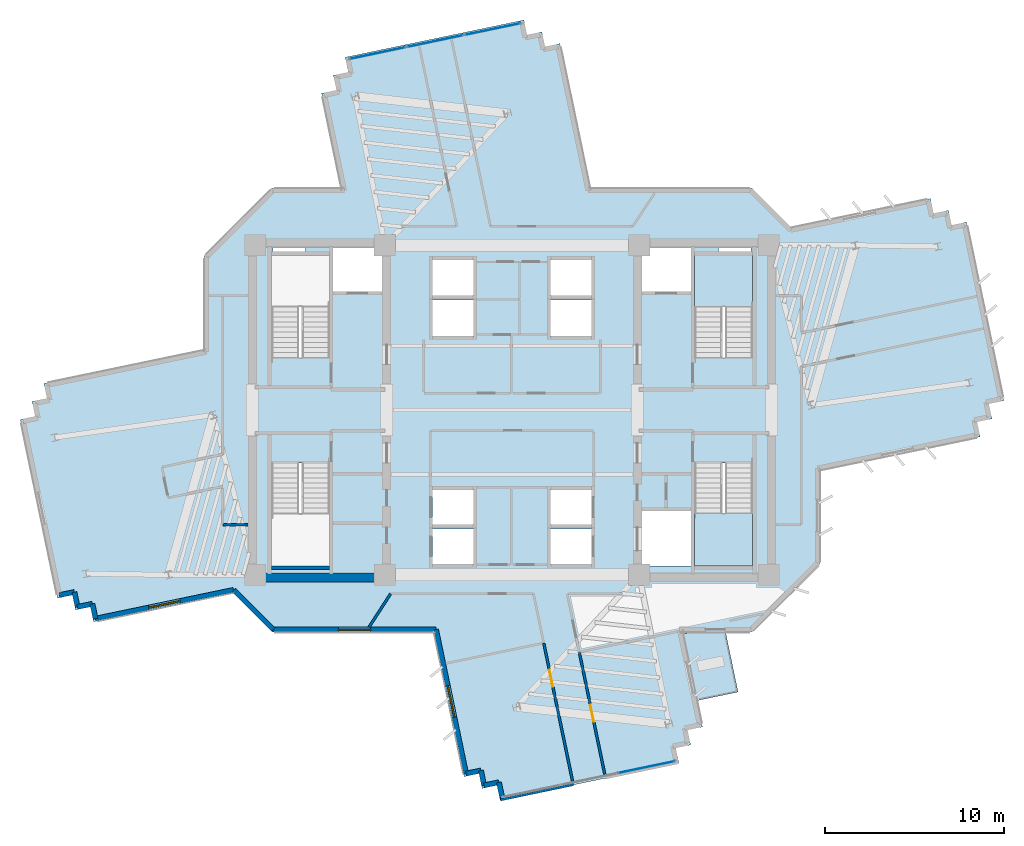
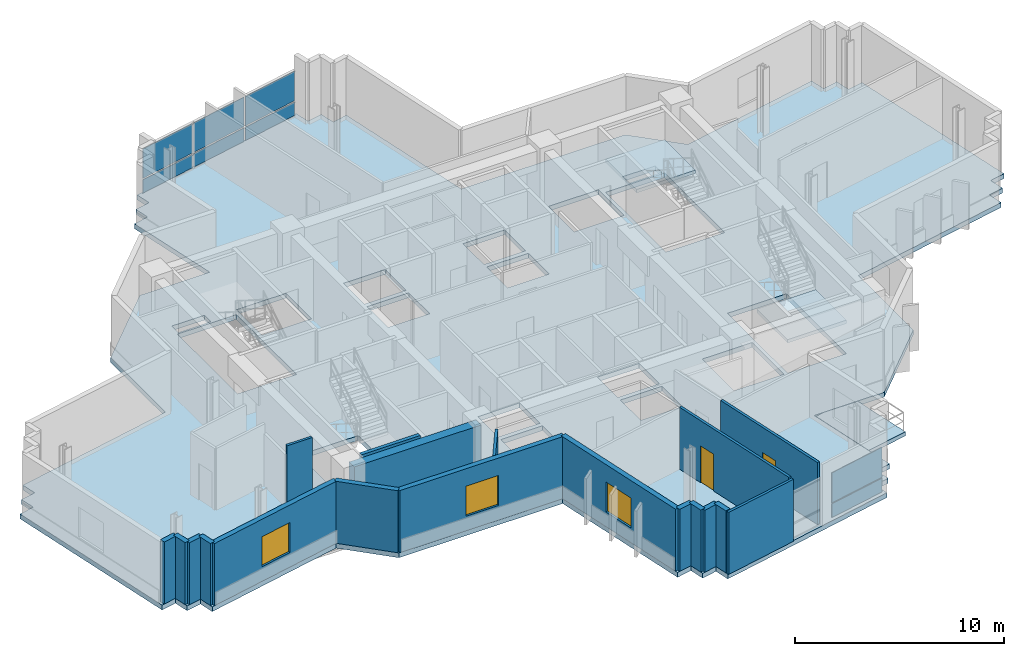
# One storey, part 6 of 14: 19 walls, 8 plates, 4 slabs, 3 windows, 2 doors, 5 openings, 4 elements without a shape of their own.
"""IFC4 building model written with IfcOpenShell, lengths in metres."""

from ifc_helpers import new_model, si_unit, direction, frame, frame_2d, origin, origin_2d, place, context, subcontext, project, spatial, polyline, rectangle, outline, extrude, source, transform, mapped, material, layer, layer_set, type_object, element, fill, aggregate, save


model = new_model("IFC4")

# Units and contexts
model_context = context("Model", 3, precision=1e-05, world=origin(), true_north=direction((0.0, 1.0)))
body_context = subcontext(model_context, "Body", "Model", "MODEL_VIEW")
ifc_project = project(units=[si_unit("LENGTHUNIT", "METRE"), si_unit("AREAUNIT", "SQUARE_METRE"), si_unit("VOLUMEUNIT", "CUBIC_METRE"), si_unit("PLANEANGLEUNIT", "RADIAN"), si_unit("MASSUNIT", "GRAM", prefix="KILO")], contexts=[model_context])

# Site, building, storey
site_placement = place(None, origin())
site = spatial("IfcSite", under=ifc_project, at=site_placement, CompositionType="ELEMENT")
building_placement = place(site_placement, origin())
building = spatial("IfcBuilding", under=site, at=building_placement, Name="Zahravan Cultural Tower", CompositionType="ELEMENT")
storey_placement = place(building_placement, frame((0.0, 0.0, 162.89990234375)))
storey = spatial("IfcBuildingStorey", under=building, at=storey_placement, Name="L37", CompositionType="ELEMENT", Elevation=162.89990234375)

# Slab
ifc_material_1 = material(Name="Concrete C45/55", Category="concrete")
ifc_layer_1 = layer(ifc_material_1, 0.280029296875)
ifc_layer_set_1 = layer_set([ifc_layer_1], Name="Concrete C45/55")
slab_type_1 = type_object("IfcSlabType", Name="SL-LIB-280", PredefinedType="FLOOR", material=ifc_layer_set_1)
slab_1_placement = place(storey_placement, frame((0.0, 0.0, -0.27978515625)))
element("IfcSlab", 1, at=slab_1_placement, inside=storey, type_object=slab_type_1, Name="L37 Structural Floor Slab", PredefinedType="FLOOR", context=body_context, shape_type="SweptSolid", body=[
    extrude(outline(polyline([(51.600341796875, 37.19970703125), (49.39990234375, 39.39990234375), (40.3603515625, 39.39990234375), (38.67578125, 47.4775390625), (37.84375, 47.303955078125), (37.670166015625, 48.135986328125), (36.837890625, 47.962646484375), (36.66455078125, 48.794677734375), (26.67919921875, 46.71240234375), (26.852783203125, 45.880126953125), (26.020751953125, 45.706787109375), (26.1943359375, 44.87451171875), (25.3623046875, 44.701171875), (26.4677734375, 39.39990234375), (22.60009765625, 39.39990234375), (18.800048828125, 35.60009765625), (18.800048828125, 30.359375), (9.844482421875, 28.49169921875), (10.01806640625, 27.65966796875), (9.18603515625, 27.486083984375), (9.359619140625, 26.654052734375), (8.527587890625, 26.48046875), (10.60986328125, 16.4951171875), (11.44189453125, 16.668701171875), (11.615478515625, 15.836669921875), (12.447509765625, 16.01025390625), (12.62109375, 15.177978515625), (20.399658203125, 16.80029296875), (22.60009765625, 14.60009765625), (31.6396484375, 14.60009765625), (33.32421875, 6.5224609375), (34.15625, 6.696044921875), (34.329833984375, 5.864013671875), (35.162109375, 6.037353515625), (35.33544921875, 5.205322265625), (45.32080078125, 7.28759765625), (45.147216796875, 8.119873046875), (45.979248046875, 8.293212890625), (45.8056640625, 9.12548828125), (46.6376953125, 9.298828125), (45.5322265625, 14.60009765625), (49.39990234375, 14.60009765625), (53.199951171875, 18.39990234375), (53.199951171875, 23.640625), (62.155517578125, 25.50830078125), (61.98193359375, 26.34033203125), (62.81396484375, 26.513916015625), (62.640380859375, 27.345947265625), (63.472412109375, 27.51953125), (61.39013671875, 37.5048828125), (60.55810546875, 37.331298828125), (60.384521484375, 38.163330078125), (59.552490234375, 37.98974609375), (59.37890625, 38.822021484375), (51.600341796875, 37.19970703125)]), holes=[polyline([(22.550048828125, 29.949951171875), (22.550048828125, 35.699951171875), (25.800048828125, 35.699951171875), (25.800048828125, 29.949951171875), (22.550048828125, 29.949951171875)]), polyline([(22.550048828125, 18.300048828125), (22.550048828125, 24.050048828125), (25.800048828125, 24.050048828125), (25.800048828125, 18.300048828125), (22.550048828125, 18.300048828125)]), polyline([(46.199951171875, 29.949951171875), (46.199951171875, 35.699951171875), (49.449951171875, 35.699951171875), (49.449951171875, 29.949951171875), (46.199951171875, 29.949951171875)]), polyline([(46.199951171875, 18.300048828125), (46.199951171875, 24.050048828125), (49.449951171875, 24.050048828125), (49.449951171875, 18.300048828125), (46.199951171875, 18.300048828125)]), polyline([(26.0, 33.60009765625), (26.0, 36.050048828125), (28.75, 36.050048828125), (28.75, 33.60009765625), (26.0, 33.60009765625)]), polyline([(43.25, 33.60009765625), (43.25, 36.050048828125), (46.0, 36.050048828125), (46.0, 33.60009765625), (43.25, 33.60009765625)]), polyline([(43.25, 18.300048828125), (43.25, 21.35009765625), (46.0, 21.35009765625), (46.0, 18.300048828125), (43.25, 18.300048828125)]), polyline([(31.550048828125, 33.39990234375), (31.550048828125, 35.39990234375), (33.85009765625, 35.39990234375), (33.85009765625, 33.39990234375), (31.550048828125, 33.39990234375)]), polyline([(31.550048828125, 31.14990234375), (31.550048828125, 33.14990234375), (33.85009765625, 33.14990234375), (33.85009765625, 31.14990234375), (31.550048828125, 31.14990234375)]), polyline([(38.14990234375, 33.39990234375), (38.14990234375, 35.39990234375), (40.449951171875, 35.39990234375), (40.449951171875, 33.39990234375), (38.14990234375, 33.39990234375)]), polyline([(38.14990234375, 31.14990234375), (38.14990234375, 33.14990234375), (40.449951171875, 33.14990234375), (40.449951171875, 31.14990234375), (38.14990234375, 31.14990234375)]), polyline([(31.550048828125, 20.60009765625), (31.550048828125, 22.550048828125), (33.85009765625, 22.550048828125), (33.85009765625, 20.60009765625), (31.550048828125, 20.60009765625)]), polyline([(31.550048828125, 18.39990234375), (31.550048828125, 20.35009765625), (33.85009765625, 20.35009765625), (33.85009765625, 18.39990234375), (31.550048828125, 18.39990234375)]), polyline([(38.14990234375, 20.60009765625), (38.14990234375, 22.550048828125), (40.449951171875, 22.550048828125), (40.449951171875, 20.60009765625), (38.14990234375, 20.60009765625)]), polyline([(38.14990234375, 18.39990234375), (38.14990234375, 20.35009765625), (40.449951171875, 20.35009765625), (40.449951171875, 18.39990234375), (38.14990234375, 18.39990234375)]), polyline([(22.64990234375, 35.800048828125), (22.64990234375, 36.419921875), (24.449951171875, 36.419921875), (24.449951171875, 35.800048828125), (22.64990234375, 35.800048828125)]), polyline([(47.550048828125, 35.800048828125), (47.550048828125, 36.419921875), (49.35009765625, 36.419921875), (49.35009765625, 35.800048828125), (47.550048828125, 35.800048828125)])]), origin(), (0.0, 0.0, 1.0), 0.27978515625),
])

# Stair, slab
stair_type = type_object("IfcStairType", Name="STR-DL-1550-390", PredefinedType="HALF_TURN_STAIR", material=ifc_material_1)
stair_1_placement = place(storey_placement, origin())
stair_1 = element("IfcStair", 2, at=stair_1_placement, inside=storey, type_object=stair_type, Name="L37 East Core North Exit Stair ST-E1", PredefinedType="HALF_TURN_STAIR")
ifc_layer_2 = layer(ifc_material_1, 0.199951171875)
ifc_layer_set_2 = layer_set([ifc_layer_2], Name="Concrete C45/55")
slab_type_2 = type_object("IfcSlabType", Name="SL-STAIR-LND200", PredefinedType="LANDING", material=ifc_layer_set_2)
slab_2_placement = place(storey_placement, frame((0.0, 0.0, 1.75)))
slab_2 = element("IfcSlab", 3, at=slab_2_placement, type_object=slab_type_2, Name="ST-E1 landing 1", PredefinedType="LANDING", context=body_context, shape_type="SweptSolid", body=[
    extrude(outline(polyline([(49.449951171875, 32.75), (49.449951171875, 35.699951171875), (46.199951171875, 35.699951171875), (46.199951171875, 32.75), (49.449951171875, 32.75)])), origin(), (0.0, 0.0, 1.0), 0.2001953125),
])
aggregate(stair_1, [slab_2])

stair_2_placement = place(storey_placement, origin())
stair_2 = element("IfcStair", 4, at=stair_2_placement, inside=storey, type_object=stair_type, Name="L37 East Core South Exit Stair ST-E2", PredefinedType="HALF_TURN_STAIR")
slab_3_placement = place(storey_placement, frame((0.0, 0.0, 1.75)))
slab_3 = element("IfcSlab", 5, at=slab_3_placement, type_object=slab_type_2, Name="ST-E2 landing 1", PredefinedType="LANDING", context=body_context, shape_type="SweptSolid", body=[
    extrude(outline(polyline([(46.199951171875, 21.25), (46.199951171875, 18.300048828125), (49.449951171875, 18.300048828125), (49.449951171875, 21.25), (46.199951171875, 21.25)])), origin(), (0.0, 0.0, 1.0), 0.2001953125),
])
aggregate(stair_2, [slab_3])

# Slab
ifc_material_2 = material(Name="Concrete C40/50", Category="concrete")
ifc_layer_3 = layer(ifc_material_2, 0.239990234375)
ifc_layer_set_3 = layer_set([ifc_layer_3], Name="Concrete C40/50")
slab_type_3 = type_object("IfcSlabType", Name="SL-TERR-240", PredefinedType="FLOOR", material=ifc_layer_set_3)
slab_4_placement = place(storey_placement, frame((0.0, 0.0, -0.239990234375)))
element("IfcSlab", 6, at=slab_4_placement, inside=storey, type_object=slab_type_3, Name="L37 Planted Sculpture Terrace SE", PredefinedType="FLOOR", context=body_context, shape_type="SweptSolid", body=[
    extrude(outline(polyline([(48.632080078125, 11.2470703125), (47.933837890625, 14.594970703125), (46.072265625, 14.594970703125), (45.560791015625, 14.48828125), (46.33642578125, 10.768310546875), (48.632080078125, 11.2470703125)])), origin(), (0.0, 0.0, 1.0), 0.239990234375),
])

# Curtain wall, plates
ifc_material_3 = material(Name="Anodised bronze-aluminium mullion", Category="aluminium")
ifc_layer_4 = layer(ifc_material_3, 0.219970703125)
ifc_layer_set_4 = layer_set([ifc_layer_4], Name="Anodised bronze-aluminium mullion")
curtain_wall_type_1 = type_object("IfcCurtainWallType", Name="CW-SYS-1", PredefinedType="USERDEFINED", material=ifc_layer_set_4)
curtain_wall_1_placement = place(storey_placement, origin())
curtain_wall_1 = element("IfcCurtainWall", 7, at=curtain_wall_1_placement, inside=storey, type_object=curtain_wall_type_1, Name="L37 Recessed Curtain Wall CW-1.2", ObjectType="RECESSED GLAZING", PredefinedType="USERDEFINED")
ifc_material_4 = material(Name="Low-E solar-control double glazing", Category="glass")
ifc_layer_5 = layer(ifc_material_4, 0.031982421875)
ifc_layer_set_5 = layer_set([ifc_layer_5], Name="Low-E solar-control double glazing")
plate_type_1 = type_object("IfcPlateType", Name="CWP-CW-1", PredefinedType="CURTAIN_PANEL", material=ifc_layer_set_5)
shared_shape_1 = source(origin(), body_context, "Body", "SweptSolid", [
    extrude(rectangle(XDim=3.186767578125, YDim=0.031982421875, at=origin_2d()), origin(), (0.0, 0.0, 1.0), 0.780029296875),
])
plate_1_placement = place(storey_placement, frame((28.48291015625, 46.9453125, 0.080078125), z_axis=(0.0, 0.0, 1.0), x_axis=(0.978937039301, 0.204162369415, 0.0)))
plate_1 = element("IfcPlate", 8, at=plate_1_placement, type_object=plate_type_1, Name="CW-1 panel 1.1", PredefinedType="CURTAIN_PANEL", context=body_context, shape_type="MappedRepresentation", body=[
    mapped(shared_shape_1, transform((0.0, 0.0, 0.0), x_axis=(1.0, 0.0, 0.0), y_axis=(0.0, 1.0, 0.0), z_axis=(0.0, 0.0, 1.0), scale=1.0)),
])
plate_2_placement = place(storey_placement, frame((34.91796875, 48.287353515625, 0.080078125), z_axis=(0.0, 0.0, 1.0), x_axis=(0.978937039301, 0.204162369415, 0.0)))
plate_2 = element("IfcPlate", 9, at=plate_2_placement, type_object=plate_type_1, Name="CW-1 panel 3.1", PredefinedType="CURTAIN_PANEL", context=body_context, shape_type="MappedRepresentation", body=[
    mapped(shared_shape_1, transform((0.0, 0.0, 0.0), x_axis=(1.0, 0.0, 0.0), y_axis=(0.0, 1.0, 0.0), z_axis=(0.0, 0.0, 1.0), scale=1.0)),
])

ifc_layer_6 = layer(ifc_material_3, 0.1650390625)
ifc_layer_set_6 = layer_set([ifc_layer_6], Name="Anodised bronze-aluminium mullion")
curtain_wall_type_2 = type_object("IfcCurtainWallType", Name="CW-SYS-4", PredefinedType="USERDEFINED", material=ifc_layer_set_6)
curtain_wall_2_placement = place(storey_placement, origin())
curtain_wall_2 = element("IfcCurtainWall", 10, at=curtain_wall_2_placement, inside=storey, type_object=curtain_wall_type_2, Name="L37 Recessed Curtain Wall CW-4.1", ObjectType="RECESSED GLAZING", PredefinedType="USERDEFINED")
ifc_layer_7 = layer(ifc_material_4, 0.02587890625)
ifc_layer_set_7 = layer_set([ifc_layer_7], Name="Low-E solar-control double glazing")
plate_type_2 = type_object("IfcPlateType", Name="CWP-CW-4", PredefinedType="CURTAIN_PANEL", material=ifc_layer_set_7)
shared_shape_2 = source(origin(), body_context, "Body", "SweptSolid", [
    extrude(rectangle(XDim=3.209228515625, YDim=0.02587890625, at=origin_2d()), origin(), (0.0, 0.0, 1.0), 0.802490234375),
])
plate_3_placement = place(storey_placement, frame((43.520751953125, 7.055419921875, 0.06494140625), z_axis=(0.0, 0.0, 1.0), x_axis=(-0.978937039301, -0.204162369415, 0.0)))
plate_3 = element("IfcPlate", 11, at=plate_3_placement, type_object=plate_type_2, Name="CW-4 panel 1.1", PredefinedType="CURTAIN_PANEL", context=body_context, shape_type="MappedRepresentation", body=[
    mapped(shared_shape_2, transform((0.0, 0.0, 0.0), x_axis=(1.0, 0.0, 0.0), y_axis=(0.0, 1.0, 0.0), z_axis=(0.0, 0.0, 1.0), scale=1.0)),
])
shared_shape_3 = source(origin(), body_context, "Body", "SweptSolid", [
    extrude(rectangle(XDim=3.209228515625, YDim=0.02587890625, at=origin_2d()), origin(), (0.0, 0.0, 1.0), 1.742431640625),
])
plate_4_placement = place(storey_placement, frame((43.520751953125, 7.055419921875, 0.9326171875), z_axis=(0.0, 0.0, 1.0), x_axis=(-0.978937039301, -0.204162369415, 0.0)))
plate_4 = element("IfcPlate", 12, at=plate_4_placement, type_object=plate_type_2, Name="CW-4 panel 1.2", PredefinedType="CURTAIN_PANEL", context=body_context, shape_type="MappedRepresentation", body=[
    mapped(shared_shape_3, transform((0.0, 0.0, 0.0), x_axis=(1.0, 0.0, 0.0), y_axis=(0.0, 1.0, 0.0), z_axis=(0.0, 0.0, 1.0), scale=1.0)),
])
aggregate(curtain_wall_2, [plate_3, plate_4])

# Plate
shared_shape_4 = source(origin(), body_context, "Body", "SweptSolid", [
    extrude(rectangle(XDim=3.186767578125, YDim=0.031982421875, at=origin_2d()), origin(), (0.0, 0.0, 1.0), 1.719970703125),
])
plate_5_placement = place(storey_placement, frame((28.48291015625, 46.9453125, 0.93994140625), z_axis=(0.0, 0.0, 1.0), x_axis=(0.978937039301, 0.204162369415, 0.0)))
plate_5 = element("IfcPlate", 13, at=plate_5_placement, type_object=plate_type_1, Name="CW-1 panel 1.2", PredefinedType="CURTAIN_PANEL", context=body_context, shape_type="MappedRepresentation", body=[
    mapped(shared_shape_4, transform((0.0, 0.0, 0.0), x_axis=(1.0, 0.0, 0.0), y_axis=(0.0, 1.0, 0.0), z_axis=(0.0, 0.0, 1.0), scale=1.0)),
])

plate_6_placement = place(storey_placement, frame((34.91796875, 48.287353515625, 0.93994140625), z_axis=(0.0, 0.0, 1.0), x_axis=(0.978937039301, 0.204162369415, 0.0)))
plate_6 = element("IfcPlate", 14, at=plate_6_placement, type_object=plate_type_1, Name="CW-1 panel 3.2", PredefinedType="CURTAIN_PANEL", context=body_context, shape_type="MappedRepresentation", body=[
    mapped(shared_shape_4, transform((0.0, 0.0, 0.0), x_axis=(1.0, 0.0, 0.0), y_axis=(0.0, 1.0, 0.0), z_axis=(0.0, 0.0, 1.0), scale=1.0)),
])

shared_shape_5 = source(origin(), body_context, "Body", "SweptSolid", [
    extrude(rectangle(XDim=3.2265625, YDim=0.031982421875, at=origin_2d()), origin(), (0.0, 0.0, 1.0), 0.780029296875),
])
plate_7_placement = place(storey_placement, frame((31.700439453125, 47.616455078125, 0.080078125), z_axis=(0.0, 0.0, 1.0), x_axis=(0.978937039301, 0.204162369415, 0.0)))
plate_7 = element("IfcPlate", 15, at=plate_7_placement, type_object=plate_type_1, Name="CW-1 panel 2.1", PredefinedType="CURTAIN_PANEL", context=body_context, shape_type="MappedRepresentation", body=[
    mapped(shared_shape_5, transform((0.0, 0.0, 0.0), x_axis=(1.0, 0.0, 0.0), y_axis=(0.0, 1.0, 0.0), z_axis=(0.0, 0.0, 1.0), scale=1.0)),
])

shared_shape_6 = source(origin(), body_context, "Body", "SweptSolid", [
    extrude(rectangle(XDim=3.2265625, YDim=0.031982421875, at=origin_2d()), origin(), (0.0, 0.0, 1.0), 1.719970703125),
])
plate_8_placement = place(storey_placement, frame((31.700439453125, 47.616455078125, 0.93994140625), z_axis=(0.0, 0.0, 1.0), x_axis=(0.978937039301, 0.204162369415, 0.0)))
plate_8 = element("IfcPlate", 16, at=plate_8_placement, type_object=plate_type_1, Name="CW-1 panel 2.2", PredefinedType="CURTAIN_PANEL", context=body_context, shape_type="MappedRepresentation", body=[
    mapped(shared_shape_6, transform((0.0, 0.0, 0.0), x_axis=(1.0, 0.0, 0.0), y_axis=(0.0, 1.0, 0.0), z_axis=(0.0, 0.0, 1.0), scale=1.0)),
])

aggregate(curtain_wall_1, [plate_1, plate_5, plate_7, plate_8, plate_2, plate_6])

# Wall, opening, window
ifc_material_5 = material(Name="Precast concrete C40/50", Category="concrete")
ifc_layer_8 = layer(ifc_material_5, 0.280029296875)
ifc_layer_set_8 = layer_set([ifc_layer_8], Name="Precast concrete C40/50")
wall_type_1 = type_object("IfcWallType", Name="EW-TC-280", PredefinedType="SOLIDWALL", material=ifc_layer_set_8)
wall_1_placement = place(storey_placement, frame((33.4326171875, 6.68798828125, 0.0), z_axis=(0.0, 0.0, 1.0), x_axis=(-0.204152195211, 0.978939161128, 0.0)))
wall_1 = element("IfcWall", 17, at=wall_1_placement, inside=storey, type_object=wall_type_1, Name="L37 Exterior Masonry Frame Wall 24", PredefinedType="SOLIDWALL", context=body_context, shape_type="SweptSolid", body=[
    extrude(rectangle(XDim=8.225341796875, YDim=0.280029296875, at=frame_2d((4.11279296875, 0.0))), origin(), (0.0, 0.0, 1.0), 3.6201171875),
])
opening_1_placement = place(wall_1_placement, frame((3.212890625, 0.0, 0.85009765625)))
opening_1 = element("IfcOpeningElement", 18, at=opening_1_placement, cuts=wall_1, Name="Opening WN-02", PredefinedType="OPENING", context=body_context, shape_type="SweptSolid", body=[
    extrude(rectangle(XDim=1.800048828125, YDim=1.75, at=frame_2d((0.89990234375, 0.875))), frame((0.0, 0.14990234375, 0.0), z_axis=(0.0, -1.0, 0.0), x_axis=(1.0, 0.0, 0.0)), (0.0, 0.0, 1.0), 0.300048828125),
])
window_type = type_object("IfcWindowType", Name="WN-REC-1800X1750", PartitioningType="DOUBLE_PANEL_VERTICAL", PredefinedType="WINDOW", material=ifc_material_4)
shared_shape_7 = source(origin(), body_context, "Body", "SweptSolid", [
    extrude(rectangle(XDim=1.800048828125, YDim=1.75, at=frame_2d((0.89990234375, 0.875))), frame((0.0, 0.030029296875, 0.0), z_axis=(0.0, -1.0, 0.0), x_axis=(1.0, 0.0, 0.0)), (0.0, 0.0, 1.0), 0.06005859375),
])
window_1_placement = place(opening_1_placement, origin())
window_1 = element("IfcWindow", 19, at=window_1_placement, inside=storey, type_object=window_type, Name="L37 Recessed Solar Window 05", OverallHeight=1.75, OverallWidth=1.800048828125, PartitioningType="DOUBLE_PANEL_VERTICAL", PredefinedType="WINDOW", context=body_context, shape_type="MappedRepresentation", body=[
    mapped(shared_shape_7, transform((0.0, 0.0, 0.0), x_axis=(1.0, 0.0, 0.0), y_axis=(0.0, 1.0, 0.0), z_axis=(0.0, 0.0, 1.0), scale=1.0)),
])
fill(opening_1, window_1)

wall_2_placement = place(storey_placement, frame((31.75341796875, 14.739990234375, 0.0), z_axis=(0.0, 0.0, 1.0), x_axis=(-1.0, 0.0, 0.0)))
wall_2 = element("IfcWall", 20, at=wall_2_placement, inside=storey, type_object=wall_type_1, Name="L37 Exterior Masonry Frame Wall 25", PredefinedType="SOLIDWALL", context=body_context, shape_type="SweptSolid", body=[
    extrude(rectangle(XDim=9.095458984375, YDim=0.280029296875, at=frame_2d((4.5478515625, 0.0))), origin(), (0.0, 0.0, 1.0), 3.6201171875),
])
opening_2_placement = place(wall_2_placement, frame((3.64794921875, 0.0, 0.85009765625)))
opening_2 = element("IfcOpeningElement", 21, at=opening_2_placement, cuts=wall_2, Name="Opening WN-02", PredefinedType="OPENING", context=body_context, shape_type="SweptSolid", body=[
    extrude(rectangle(XDim=1.800048828125, YDim=1.75, at=frame_2d((0.89990234375, 0.875))), frame((0.0, 0.14990234375, 0.0), z_axis=(0.0, -1.0, 0.0), x_axis=(1.0, 0.0, 0.0)), (0.0, 0.0, 1.0), 0.300048828125),
])
window_2_placement = place(opening_2_placement, origin())
window_2 = element("IfcWindow", 22, at=window_2_placement, inside=storey, type_object=window_type, Name="L37 Recessed Solar Window 06", OverallHeight=1.75, OverallWidth=1.800048828125, PartitioningType="DOUBLE_PANEL_VERTICAL", PredefinedType="WINDOW", context=body_context, shape_type="MappedRepresentation", body=[
    mapped(shared_shape_7, transform((0.0, 0.0, 0.0), x_axis=(1.0, 0.0, 0.0), y_axis=(0.0, 1.0, 0.0), z_axis=(0.0, 0.0, 1.0), scale=1.0)),
])
fill(opening_2, window_2)

wall_3_placement = place(storey_placement, frame((20.4453125, 16.952880859375, 0.0), z_axis=(0.0, 0.0, 1.0), x_axis=(-0.978938136474, -0.204157108515, 0.0)))
wall_3 = element("IfcWall", 23, at=wall_3_placement, inside=storey, type_object=wall_type_1, Name="L37 Exterior Masonry Frame Wall 27", PredefinedType="SOLIDWALL", context=body_context, shape_type="SweptSolid", body=[
    extrude(rectangle(XDim=7.8818359375, YDim=0.280029296875, at=frame_2d((3.94091796875, 0.0))), origin(), (0.0, 0.0, 1.0), 3.6201171875),
])
opening_3_placement = place(wall_3_placement, frame((3.041015625, 0.0, 0.85009765625)))
opening_3 = element("IfcOpeningElement", 24, at=opening_3_placement, cuts=wall_3, Name="Opening WN-02", PredefinedType="OPENING", context=body_context, shape_type="SweptSolid", body=[
    extrude(rectangle(XDim=1.800048828125, YDim=1.75, at=frame_2d((0.89990234375, 0.875))), frame((0.0, 0.14990234375, 0.0), z_axis=(0.0, -1.0, 0.0), x_axis=(1.0, 0.0, 0.0)), (0.0, 0.0, 1.0), 0.300048828125),
])
window_3_placement = place(opening_3_placement, origin())
window_3 = element("IfcWindow", 25, at=window_3_placement, inside=storey, type_object=window_type, Name="L37 Recessed Solar Window 07", OverallHeight=1.75, OverallWidth=1.800048828125, PartitioningType="DOUBLE_PANEL_VERTICAL", PredefinedType="WINDOW", context=body_context, shape_type="MappedRepresentation", body=[
    mapped(shared_shape_7, transform((0.0, 0.0, 0.0), x_axis=(1.0, 0.0, 0.0), y_axis=(0.0, 1.0, 0.0), z_axis=(0.0, 0.0, 1.0), scale=1.0)),
])
fill(opening_3, window_3)

# Wall, opening, door
ifc_material_6 = material(Name="Gypsum plasterboard partition")
ifc_layer_9 = layer(ifc_material_6, 0.139892578125)
ifc_layer_set_9 = layer_set([ifc_layer_9], Name="Gypsum plasterboard partition")
wall_type_2 = type_object("IfcWallType", Name="W-PART-140", PredefinedType="PARTITIONING", material=ifc_layer_set_9)
wall_4_placement = place(storey_placement, frame((41.182373046875, 6.656982421875, 0.0), z_axis=(0.0, 0.0, 1.0), x_axis=(-0.204158980406, 0.97893774609, 0.0)))
wall_4 = element("IfcWall", 26, at=wall_4_placement, inside=storey, type_object=wall_type_2, Name="L37 Interior Wall 085", PredefinedType="PARTITIONING", context=body_context, shape_type="SweptSolid", body=[
    extrude(rectangle(XDim=6.95263671875, YDim=0.139892578125, at=frame_2d((3.476318359375, 0.0))), origin(), (0.0, 0.0, 1.0), 3.6201171875),
])
opening_4_placement = place(wall_4_placement, frame((3.001220703125, 0.0, 0.0)))
opening_4 = element("IfcOpeningElement", 27, at=opening_4_placement, cuts=wall_4, Name="Opening D-L37-28", PredefinedType="OPENING", context=body_context, shape_type="SweptSolid", body=[
    extrude(rectangle(XDim=0.949951171875, YDim=2.14990234375, at=frame_2d((0.47509765625, 1.074951171875))), frame((0.0, 0.079833984375, 0.0), z_axis=(0.0, -1.0, 0.0), x_axis=(1.0, 0.0, 0.0)), (0.0, 0.0, 1.0), 0.159912109375),
])
door_type = type_object("IfcDoorType", Name="DR-ROOM-950", OperationType="NOTDEFINED", PredefinedType="DOOR", material=ifc_material_3)
shared_shape_8 = source(origin(), body_context, "Body", "SweptSolid", [
    extrude(rectangle(XDim=0.949951171875, YDim=2.14990234375, at=frame_2d((0.47509765625, 1.074951171875))), frame((0.0, 0.02490234375, 0.0), z_axis=(0.0, -1.0, 0.0), x_axis=(1.0, 0.0, 0.0)), (0.0, 0.0, 1.0), 0.050048828125),
])
door_1_placement = place(opening_4_placement, origin())
door_1 = element("IfcDoor", 28, at=door_1_placement, inside=storey, type_object=door_type, Name="L37 Door D-L37-28", OperationType="SINGLE_SWING_RIGHT", OverallHeight=2.14990234375, OverallWidth=0.949951171875, PredefinedType="DOOR", context=body_context, shape_type="MappedRepresentation", body=[
    mapped(shared_shape_8, transform((0.0, 0.0, 0.0), x_axis=(1.0, 0.0, 0.0), y_axis=(0.0, 1.0, 0.0), z_axis=(0.0, 0.0, 1.0), scale=1.0)),
])
fill(opening_4, door_1)

wall_5_placement = place(storey_placement, frame((37.77783203125, 13.968505859375, 0.0), z_axis=(0.0, 0.0, 1.0), x_axis=(0.204175249208, -0.978934353065, 0.0)))
wall_5 = element("IfcWall", 29, at=wall_5_placement, inside=storey, type_object=wall_type_2, Name="L37 Interior Wall 086", PredefinedType="PARTITIONING", context=body_context, shape_type="SweptSolid", body=[
    extrude(rectangle(XDim=7.8525390625, YDim=0.139892578125, at=frame_2d((3.92626953125, 0.0))), origin(), (0.0, 0.0, 1.0), 3.6201171875),
])
opening_5_placement = place(wall_5_placement, frame((1.5185546875, 0.0, 0.0)))
opening_5 = element("IfcOpeningElement", 30, at=opening_5_placement, cuts=wall_5, Name="Opening D-L37-26", PredefinedType="OPENING", context=body_context, shape_type="SweptSolid", body=[
    extrude(rectangle(XDim=0.949951171875, YDim=2.14990234375, at=frame_2d((0.47509765625, 1.074951171875))), frame((0.0, 0.079833984375, 0.0), z_axis=(0.0, -1.0, 0.0), x_axis=(1.0, 0.0, 0.0)), (0.0, 0.0, 1.0), 0.159912109375),
])
door_2_placement = place(opening_5_placement, origin())
door_2 = element("IfcDoor", 31, at=door_2_placement, inside=storey, type_object=door_type, Name="L37 Door D-L37-26", OperationType="SINGLE_SWING_RIGHT", OverallHeight=2.14990234375, OverallWidth=0.949951171875, PredefinedType="DOOR", context=body_context, shape_type="MappedRepresentation", body=[
    mapped(shared_shape_8, transform((0.0, 0.0, 0.0), x_axis=(1.0, 0.0, 0.0), y_axis=(0.0, 1.0, 0.0), z_axis=(0.0, 0.0, 1.0), scale=1.0)),
])
fill(opening_5, door_2)

# Walls
ifc_material_7 = material(Name="Concrete C60/75", Category="concrete")
ifc_layer_10 = layer(ifc_material_7, 0.5)
ifc_layer_set_10 = layer_set([ifc_layer_10], Name="Concrete C60/75")
wall_type_3 = type_object("IfcWallType", Name="CW-SHEAR-500-C60", PredefinedType="SHEAR", material=ifc_layer_set_10)
shared_shape_9 = source(origin(), body_context, "Body", "SweptSolid", [
    extrude(rectangle(XDim=7.0, YDim=0.5, at=frame_2d((3.5, 0.0))), origin(), (0.0, 0.0, 1.0), 3.6201171875),
])
wall_6_placement = place(storey_placement, frame((21.75, 17.64990234375, 0.0), z_axis=(0.0, 0.0, 1.0), x_axis=(1.0, 0.0, 0.0)))
element("IfcWall", 32, at=wall_6_placement, inside=storey, type_object=wall_type_3, Name="L37 Core Shear Wall CW-W-S-L37", PredefinedType="SHEAR", context=body_context, shape_type="MappedRepresentation", body=[
    mapped(shared_shape_9, transform((0.0, 0.0, 0.0), x_axis=(1.0, 0.0, 0.0), y_axis=(0.0, 1.0, 0.0), z_axis=(0.0, 0.0, 1.0), scale=1.0)),
])
shared_shape_10 = source(origin(), body_context, "Body", "SweptSolid", [
    extrude(rectangle(XDim=0.85009765625, YDim=0.280029296875, at=frame_2d((0.425048828125, 0.0))), origin(), (0.0, 0.0, 1.0), 3.6201171875),
])
wall_7_placement = place(storey_placement, frame((34.264892578125, 6.861572265625, 0.0), z_axis=(0.0, 0.0, 1.0), x_axis=(-0.97893500384, -0.204172128991, 0.0)))
element("IfcWall", 33, at=wall_7_placement, inside=storey, type_object=wall_type_1, Name="L37 Exterior Masonry Frame Wall 23", PredefinedType="SOLIDWALL", context=body_context, shape_type="MappedRepresentation", body=[
    mapped(shared_shape_10, transform((0.0, 0.0, 0.0), x_axis=(1.0, 0.0, 0.0), y_axis=(0.0, 1.0, 0.0), z_axis=(0.0, 0.0, 1.0), scale=1.0)),
])
shared_shape_11 = source(origin(), body_context, "Body", "SweptSolid", [
    extrude(rectangle(XDim=0.849853515625, YDim=0.280029296875, at=frame_2d((0.4248046875, 0.0))), origin(), (0.0, 0.0, 1.0), 3.6201171875),
])
for number, where, z_axis, x_axis, name in (
    (34, (35.444091796875, 5.370849609375, 0.0), (0.0, 0.0, 1.0), (-0.20422954019, 0.978923028084, 0.0), "L37 Exterior Masonry Frame Wall 20"),
    (35, (35.2705078125, 6.202880859375, 0.0), (0.0, 0.0, 1.0), (-0.978980419738, -0.203954254112, 0.0), "L37 Exterior Masonry Frame Wall 21"),
    (36, (34.4384765625, 6.029541015625, 0.0), (0.0, 0.0, 1.0), (-0.20422954019, 0.978923028084, 0.0), "L37 Exterior Masonry Frame Wall 22"),
    (37, (12.7294921875, 15.34375, 0.0), (0.0, 0.0, 1.0), (-0.203954254112, 0.978980419738, 0.0), "L37 Exterior Masonry Frame Wall 28"),
    (38, (12.55615234375, 16.17578125, 0.0), (0.0, 0.0, 1.0), (-0.978923028084, -0.20422954019, 0.0), "L37 Exterior Masonry Frame Wall 29"),
    (39, (11.55029296875, 16.83447265625, 0.0), (0.0, 0.0, 1.0), (-0.978923028084, -0.20422954019, 0.0), "L37 Exterior Masonry Frame Wall 31"),
):
    element("IfcWall", number, at=place(storey_placement, frame(where, z_axis=z_axis, x_axis=x_axis)), inside=storey, type_object=wall_type_1, Name=name, PredefinedType="SOLIDWALL", context=body_context, shape_type="MappedRepresentation", body=[
        mapped(shared_shape_11, transform((0.0, 0.0, 0.0), x_axis=(1.0, 0.0, 0.0), y_axis=(0.0, 1.0, 0.0), z_axis=(0.0, 0.0, 1.0), scale=1.0)),
    ])
shared_shape_12 = source(origin(), body_context, "Body", "SweptSolid", [
    extrude(rectangle(XDim=0.850341796875, YDim=0.280029296875, at=frame_2d((0.42529296875, 0.0))), origin(), (0.0, 0.0, 1.0), 3.6201171875),
])
wall_8_placement = place(storey_placement, frame((11.72412109375, 16.002197265625, 0.0), z_axis=(0.0, 0.0, 1.0), x_axis=(-0.204447295999, 0.978877573121, 0.0)))
element("IfcWall", 40, at=wall_8_placement, inside=storey, type_object=wall_type_1, Name="L37 Exterior Masonry Frame Wall 30", PredefinedType="SOLIDWALL", context=body_context, shape_type="MappedRepresentation", body=[
    mapped(shared_shape_12, transform((0.0, 0.0, 0.0), x_axis=(1.0, 0.0, 0.0), y_axis=(0.0, 1.0, 0.0), z_axis=(0.0, 0.0, 1.0), scale=1.0)),
])
shared_shape_13 = source(origin(), body_context, "Body", "SweptSolid", [
    extrude(rectangle(XDim=3.12939453125, YDim=0.280029296875, at=frame_2d((1.564697265625, 0.0))), origin(), (0.0, 0.0, 1.0), 3.6201171875),
])
wall_9_placement = place(storey_placement, frame((22.657958984375, 14.739990234375, 0.0), z_axis=(0.0, 0.0, 1.0), x_axis=(-0.707067771627, 0.707145788594, 0.0)))
element("IfcWall", 41, at=wall_9_placement, inside=storey, type_object=wall_type_1, Name="L37 Exterior Masonry Frame Wall 26", PredefinedType="SOLIDWALL", context=body_context, shape_type="MappedRepresentation", body=[
    mapped(shared_shape_13, transform((0.0, 0.0, 0.0), x_axis=(1.0, 0.0, 0.0), y_axis=(0.0, 1.0, 0.0), z_axis=(0.0, 0.0, 1.0), scale=1.0)),
])
ifc_layer_11 = layer(ifc_material_1, 0.199951171875)
ifc_layer_set_11 = layer_set([ifc_layer_11], Name="Concrete C45/55")
wall_type_4 = type_object("IfcWallType", Name="W-SHAFT-200", PredefinedType="SOLIDWALL", material=ifc_layer_set_11)
shared_shape_14 = source(origin(), body_context, "Body", "SweptSolid", [
    extrude(rectangle(XDim=3.25, YDim=0.199951171875, at=frame_2d((1.625, 0.0))), origin(), (0.0, 0.0, 1.0), 3.6201171875),
])
wall_10_placement = place(storey_placement, frame((22.550048828125, 18.199951171875, 0.0), z_axis=(0.0, 0.0, 1.0), x_axis=(1.0, 0.0, 0.0)))
element("IfcWall", 42, at=wall_10_placement, inside=storey, type_object=wall_type_4, Name="L37 Interior Wall 019", PredefinedType="SOLIDWALL", context=body_context, shape_type="MappedRepresentation", body=[
    mapped(shared_shape_14, transform((0.0, 0.0, 0.0), x_axis=(1.0, 0.0, 0.0), y_axis=(0.0, 1.0, 0.0), z_axis=(0.0, 0.0, 1.0), scale=1.0)),
])
shared_shape_15 = source(origin(), body_context, "Body", "SweptSolid", [
    extrude(rectangle(XDim=2.2099609375, YDim=0.139892578125, at=frame_2d((1.10498046875, 0.0))), origin(), (0.0, 0.0, 1.0), 3.6201171875),
])
wall_11_placement = place(storey_placement, frame((28.01806640625, 14.885009765625, 0.0), z_axis=(0.0, 0.0, 1.0), x_axis=(0.543613077793, 0.83933594088, 0.0)))
element("IfcWall", 43, at=wall_11_placement, inside=storey, type_object=wall_type_2, Name="L37 Interior Wall 076", PredefinedType="PARTITIONING", context=body_context, shape_type="MappedRepresentation", body=[
    mapped(shared_shape_15, transform((0.0, 0.0, 0.0), x_axis=(1.0, 0.0, 0.0), y_axis=(0.0, 1.0, 0.0), z_axis=(0.0, 0.0, 1.0), scale=1.0)),
])
shared_shape_16 = source(origin(), body_context, "Body", "SweptSolid", [
    extrude(rectangle(XDim=4.159912109375, YDim=0.139892578125, at=frame_2d((2.080078125, 0.0))), origin(), (0.0, 0.0, 1.0), 3.6201171875),
])
wall_12_placement = place(storey_placement, frame((39.42333984375, 6.078125, 0.0), z_axis=(0.0, 0.0, 1.0), x_axis=(-0.978945249929, -0.204122996358, 0.0)))
element("IfcWall", 44, at=wall_12_placement, inside=storey, type_object=wall_type_2, Name="L37 Interior Wall 087", PredefinedType="PARTITIONING", context=body_context, shape_type="MappedRepresentation", body=[
    mapped(shared_shape_16, transform((0.0, 0.0, 0.0), x_axis=(1.0, 0.0, 0.0), y_axis=(0.0, 1.0, 0.0), z_axis=(0.0, 0.0, 1.0), scale=1.0)),
])
shared_shape_17 = source(origin(), body_context, "Body", "SweptSolid", [
    extrude(rectangle(XDim=1.392822265625, YDim=0.139892578125, at=frame_2d((0.6962890625, 0.0))), origin(), (0.0, 0.0, 1.0), 3.6201171875),
])
wall_13_placement = place(storey_placement, frame((19.852294921875, 20.601318359375, 0.0), z_axis=(0.0, 0.0, 1.0), x_axis=(0.999999615941, -0.000876423853, 0.0)))
element("IfcWall", 45, at=wall_13_placement, inside=storey, type_object=wall_type_2, Name="L37 Interior Wall 102", PredefinedType="PARTITIONING", context=body_context, shape_type="MappedRepresentation", body=[
    mapped(shared_shape_17, transform((0.0, 0.0, 0.0), x_axis=(1.0, 0.0, 0.0), y_axis=(0.0, 1.0, 0.0), z_axis=(0.0, 0.0, 1.0), scale=1.0)),
])

save(model, "model.ifc")
